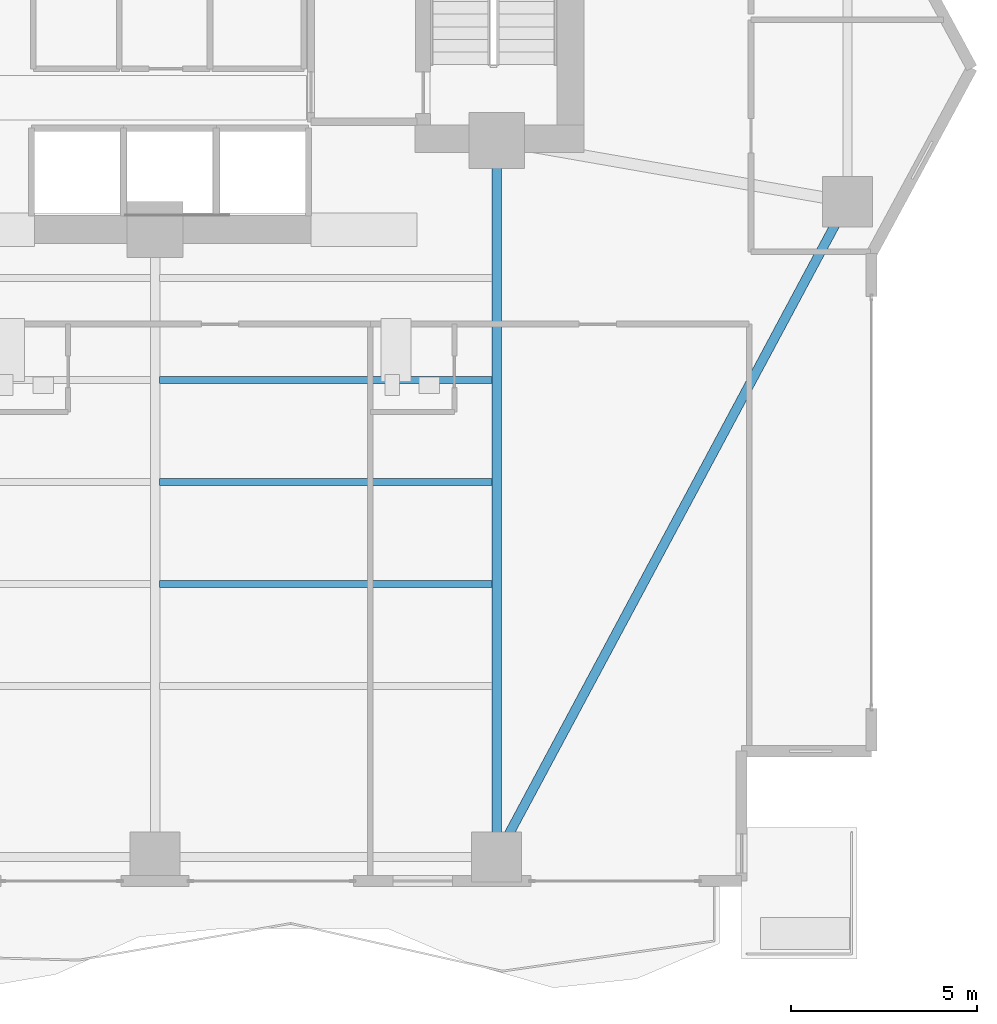
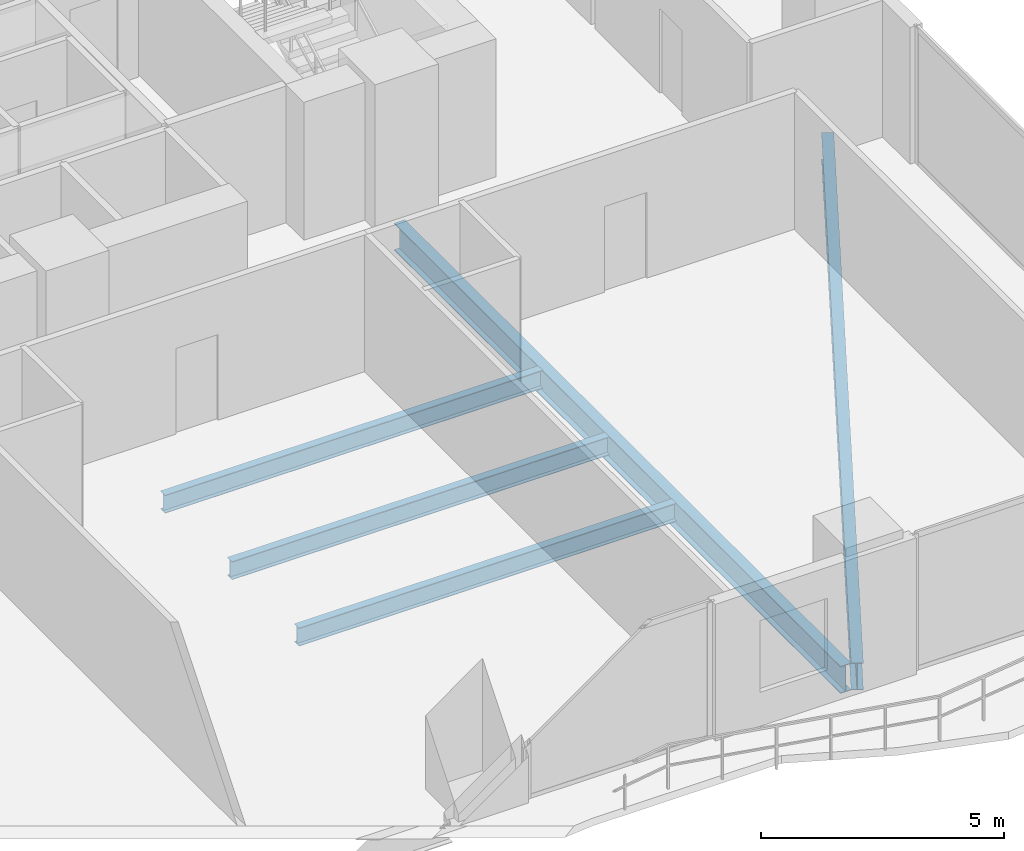
# One storey, part 10 of 30: 5 beams.
"""IFC4 building model written with IfcOpenShell, lengths in metres."""

from ifc_helpers import new_model, si_unit, direction, frame, origin, origin_2d, place, context, subcontext, project, spatial, i_section, extrude, material, material_profile, profile_set, type_object, element, save


model = new_model("IFC4")

# Units and contexts
model_context = context("Model", 3, precision=1e-05, world=origin(), true_north=direction((0.0, 1.0)))
body_context = subcontext(model_context, "Body", "Model", "MODEL_VIEW")
ifc_project = project(units=[si_unit("LENGTHUNIT", "METRE"), si_unit("AREAUNIT", "SQUARE_METRE"), si_unit("VOLUMEUNIT", "CUBIC_METRE"), si_unit("PLANEANGLEUNIT", "RADIAN"), si_unit("MASSUNIT", "GRAM", prefix="KILO")], contexts=[model_context])

# Site, building, storey
site_placement = place(None, origin())
site = spatial("IfcSite", under=ifc_project, at=site_placement, CompositionType="ELEMENT")
building_placement = place(site_placement, origin())
building = spatial("IfcBuilding", under=site, at=building_placement, Name="Zuhayl Quay Hotel", CompositionType="ELEMENT")
storey_placement = place(building_placement, frame((0.0, 0.0, 128.5)))
storey = spatial("IfcBuildingStorey", under=building, at=storey_placement, Name="L32", CompositionType="ELEMENT", Elevation=128.5)

# Beams
ifc_material = material(Name="Steel ASTM A992 Grade 50", Category="steel")
ifc_material_profile_1 = material_profile(ifc_material, i_section(OverallWidth=0.25390625, OverallDepth=0.68310546875, WebThickness=0.012451171875, FlangeThickness=0.018798828125, at=origin_2d()), Name="W27X94")
ifc_profile_set_1 = profile_set([ifc_material_profile_1], Name="Steel ASTM A992 Grade 50")
beam_type_1 = type_object("IfcBeamType", Name="BM_B2_W27X94", PredefinedType="BEAM", material=ifc_profile_set_1)
beam_1_placement = place(storey_placement, frame((14.035888671875, -14.30908203125, -0.5615234375), z_axis=(0.472017301959, 0.88158928456, 0.0), x_axis=(-0.88158928456, 0.472017301959, 0.0)))
element("IfcBeam", 1, at=beam_1_placement, inside=storey, type_object=beam_type_1, Name="L32 Floor Beam RG_L32_04", PredefinedType="BEAM", context=body_context, shape_type="SweptSolid", body=[
    extrude(i_section(OverallWidth=0.25390625, OverallDepth=0.68310546875, WebThickness=0.012451171875, FlangeThickness=0.018798828125, at=origin_2d()), origin(), (0.0, 0.0, 1.0), 19.0205078125),
])
beam_2_placement = place(storey_placement, frame((13.800048828125, -14.25, -0.5615234375), z_axis=(0.0, 1.0, 0.0), x_axis=(-1.0, 0.0, 0.0)))
element("IfcBeam", 2, at=beam_2_placement, inside=storey, type_object=beam_type_1, Name="L32 Floor Beam FG_S_L32_4", PredefinedType="BEAM", context=body_context, shape_type="SweptSolid", body=[
    extrude(i_section(OverallWidth=0.25390625, OverallDepth=0.68310546875, WebThickness=0.012451171875, FlangeThickness=0.018798828125, at=origin_2d()), origin(), (0.0, 0.0, 1.0), 18.35009765625),
])
ifc_material_profile_2 = material_profile(ifc_material, i_section(OverallWidth=0.18994140625, OverallDepth=0.45703125, WebThickness=0.009033203125, FlangeThickness=0.014404296875, at=origin_2d()), Name="W18X50")
ifc_profile_set_2 = profile_set([ifc_material_profile_2], Name="Steel ASTM A992 Grade 50")
beam_type_2 = type_object("IfcBeamType", Name="BM_J2_W18X50", PredefinedType="JOIST", material=ifc_profile_set_2)
for number, where, z_axis, x_axis, name in (
    (3, (4.718994140625, -7.39990234375, -0.448486328125), (1.0, 0.0, 0.0), (0.0, 1.0, 0.0), "L32 Floor Beam FJ_L32_6_3"),
    (4, (4.718994140625, -4.64990234375, -0.448486328125), (1.0, 0.0, 0.0), (0.0, 1.0, 0.0), "L32 Floor Beam FJ_L32_7_3"),
    (5, (4.718994140625, -1.89990234375, -0.448486328125), (1.0, 0.0, 0.0), (0.0, 1.0, 0.0), "L32 Floor Beam FJ_L32_8_3"),
):
    element("IfcBeam", number, at=place(storey_placement, frame(where, z_axis=z_axis, x_axis=x_axis)), inside=storey, type_object=beam_type_2, Name=name, PredefinedType="JOIST", context=body_context, shape_type="SweptSolid", body=[
        extrude(i_section(OverallWidth=0.18994140625, OverallDepth=0.45703125, WebThickness=0.009033203125, FlangeThickness=0.014404296875, at=origin_2d()), origin(), (0.0, 0.0, 1.0), 8.9619140625),
    ])

save(model, "model.ifc")
